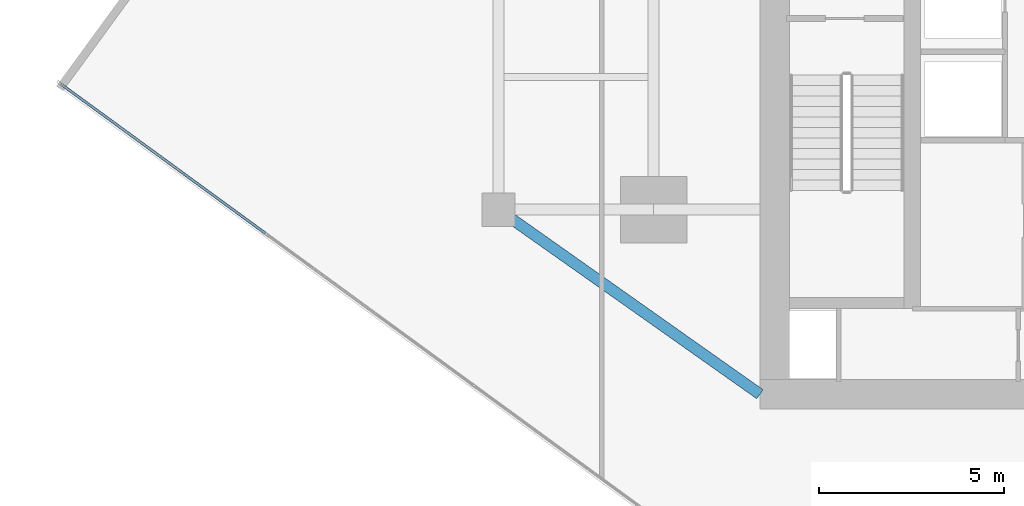
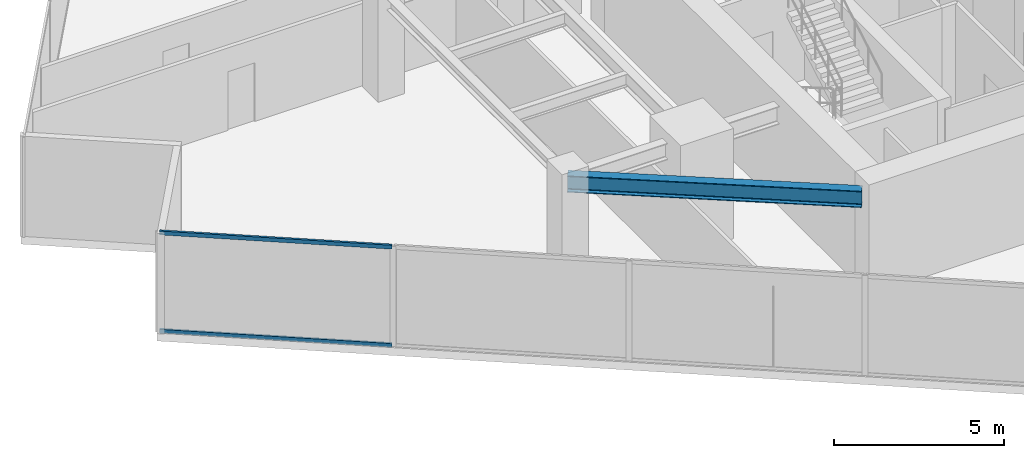
# One storey, part 4 of 25: 2 members, 1 beam, 1 element without a shape of its own.
"""IFC4 building model written with IfcOpenShell, lengths in metres."""

from ifc_helpers import new_model, si_unit, direction, frame, origin, origin_2d, place, context, subcontext, project, spatial, hollow_rectangle, i_section, extrude, source, transform, mapped, material, material_profile, profile_set, type_object, type_shapes, element, aggregate, save


model = new_model("IFC4")

# Units and contexts
model_context = context("Model", 3, precision=1e-05, world=origin(), true_north=direction((0.0, 1.0)))
body_context = subcontext(model_context, "Body", "Model", "MODEL_VIEW")
ifc_project = project(units=[si_unit("LENGTHUNIT", "METRE"), si_unit("AREAUNIT", "SQUARE_METRE"), si_unit("VOLUMEUNIT", "CUBIC_METRE"), si_unit("PLANEANGLEUNIT", "RADIAN"), si_unit("MASSUNIT", "GRAM", prefix="KILO")], contexts=[model_context])

# Site, building, storey
site_placement = place(None, origin())
site = spatial("IfcSite", under=ifc_project, at=site_placement, CompositionType="ELEMENT")
building_placement = place(site_placement, origin())
building = spatial("IfcBuilding", under=site, at=building_placement, Name="Krantzveldt Concourse Tower", CompositionType="ELEMENT")
storey_placement = place(building_placement, frame((0.0, 0.0, 197.550048828125)))
storey = spatial("IfcBuildingStorey", under=building, at=storey_placement, Name="L48", CompositionType="ELEMENT", Elevation=197.550048828125)

# Beam
ifc_material_1 = material(Name="Steel S355JR", Category="steel")
ifc_material_profile_1 = material_profile(ifc_material_1, i_section(OverallWidth=0.300048828125, OverallDepth=0.590087890625, WebThickness=0.012939453125, FlangeThickness=0.02490234375, FilletRadius=0.027099609375, at=origin_2d()), Name="Steel S355JR", Category="steel")
ifc_profile_set_1 = profile_set([ifc_material_profile_1], Name="Steel S355JR - HEA 600")
beam_type = type_object("IfcBeamType", Name="BM-B-HEA600", PredefinedType="BEAM", material=ifc_profile_set_1)
shared_shape_1 = source(origin(), body_context, "Body", "SweptSolid", [
    extrude(i_section(OverallWidth=0.300048828125, OverallDepth=0.590087890625, WebThickness=0.012939453125, FlangeThickness=0.02490234375, FilletRadius=0.027099609375, at=origin_2d()), origin(), (0.0, 0.0, 1.0), 8.667724609375),
])
type_shapes(beam_type, [shared_shape_1])
beam_placement = place(storey_placement, frame((21.0, 15.89990234375, 3.294921875), z_axis=(0.81684294656, -0.576860122261, 0.0), x_axis=(0.576860122261, 0.81684294656, 0.0)))
element("IfcBeam", 1, at=beam_placement, inside=storey, type_object=beam_type, Name="L48 Tower Girder BR-CSW", PredefinedType="BEAM", context=body_context, shape_type="MappedRepresentation", body=[
    mapped(shared_shape_1, transform((0.0, 0.0, 0.0), x_axis=(1.0, 0.0, 0.0), y_axis=(0.0, 1.0, 0.0), z_axis=(0.0, 0.0, 1.0), scale=1.0)),
])

# Curtain wall, members
ifc_material_2 = material(Name="Anodised aluminium 6063-T6", Category="aluminium")
curtain_wall_type = type_object("IfcCurtainWallType", Name="CW3", PredefinedType="USERDEFINED", material=ifc_material_2)
curtain_wall_placement = place(storey_placement, origin())
curtain_wall = element("IfcCurtainWall", 2, at=curtain_wall_placement, inside=storey, type_object=curtain_wall_type, Name="CW-L48-F04", ObjectType="UNITISED CURTAIN WALL", PredefinedType="USERDEFINED")
ifc_material_profile_2 = material_profile(ifc_material_2, hollow_rectangle(XDim=0.070068359375, YDim=0.139892578125, WallThickness=0.0048828125, at=origin_2d()), Name="Anodised aluminium 6063-T6", Category="aluminium")
ifc_profile_set_2 = profile_set([ifc_material_profile_2], Name="Anodised aluminium 6063-T6 - ALU-TRAN 140x70x5")
member_type = type_object("IfcMemberType", Name="CW-TRN-150", PredefinedType="USERDEFINED", material=ifc_profile_set_2)
shared_shape_2 = source(origin(), body_context, "Body", "SweptSolid", [
    extrude(hollow_rectangle(XDim=0.070068359375, YDim=0.139892578125, WallThickness=0.0048828125, at=origin_2d()), origin(), (0.0, 0.0, 1.0), 6.85498046875),
])
type_shapes(member_type, [shared_shape_2])
member_1_placement = place(storey_placement, frame((9.14404296875, 19.30029296875, 0.034912109375), z_axis=(0.807715314252, -0.589572702153, 0.0), x_axis=(0.589572702153, 0.807715314252, 0.0)))
member_1 = element("IfcMember", 3, at=member_1_placement, type_object=member_type, Name="CW-Z34 transom 1.1", ObjectType="TRANSOM", PredefinedType="USERDEFINED", context=body_context, shape_type="MappedRepresentation", body=[
    mapped(shared_shape_2, transform((0.0, 0.0, 0.0), x_axis=(1.0, 0.0, 0.0), y_axis=(0.0, 1.0, 0.0), z_axis=(0.0, 0.0, 1.0), scale=1.0)),
])
member_2_placement = place(storey_placement, frame((9.14404296875, 19.30029296875, 3.554931640625), z_axis=(0.807715314252, -0.589572702153, 0.0), x_axis=(0.589572702153, 0.807715314252, 0.0)))
member_2 = element("IfcMember", 4, at=member_2_placement, type_object=member_type, Name="CW-Z34 transom 1.2", ObjectType="TRANSOM", PredefinedType="USERDEFINED", context=body_context, shape_type="MappedRepresentation", body=[
    mapped(shared_shape_2, transform((0.0, 0.0, 0.0), x_axis=(1.0, 0.0, 0.0), y_axis=(0.0, 1.0, 0.0), z_axis=(0.0, 0.0, 1.0), scale=1.0)),
])
aggregate(curtain_wall, [member_1, member_2])

save(model, "model.ifc")
